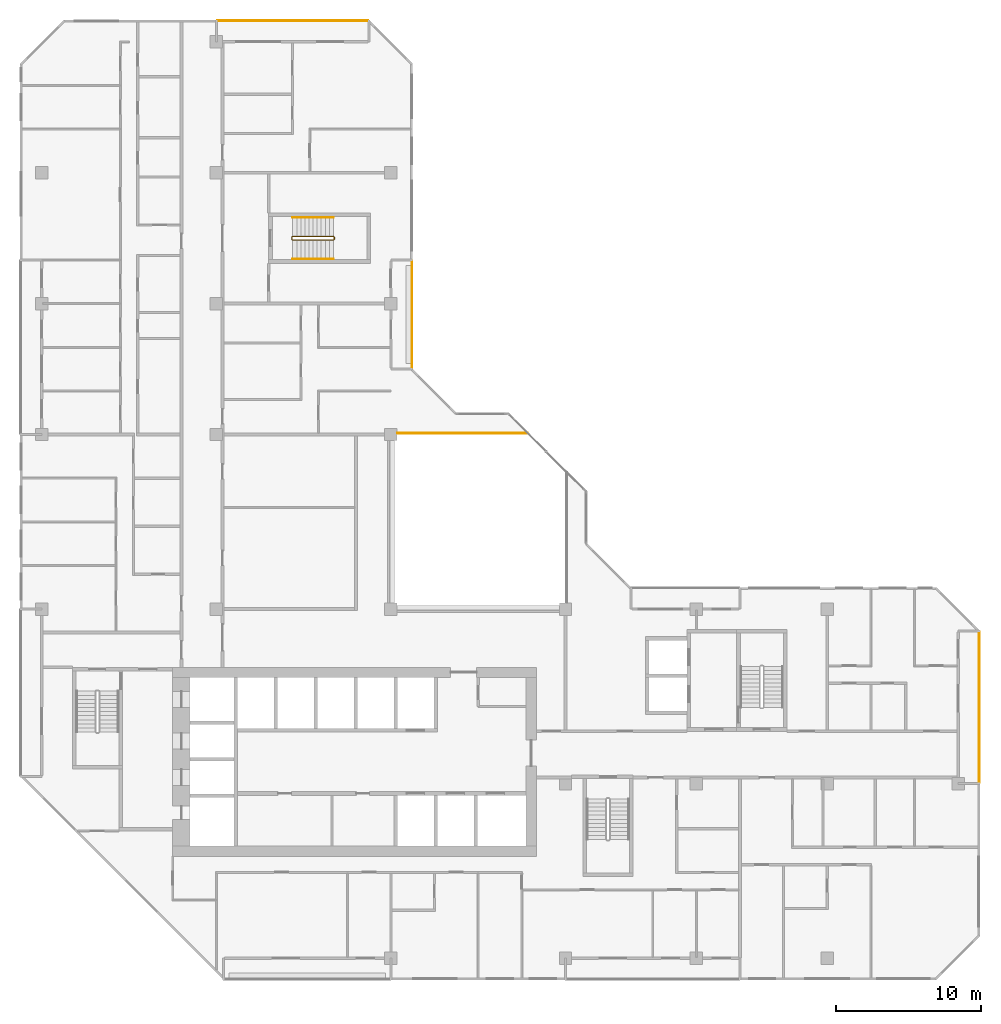
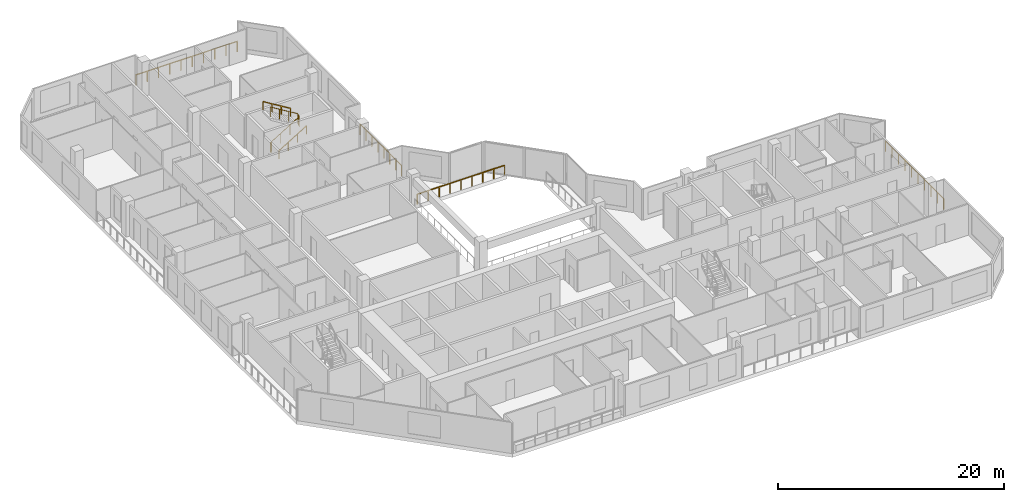
# One storey, part 15 of 15: 7 railings.
"""IFC4 building model written with IfcOpenShell, lengths in metres."""

import ifcopenshell
import ifcopenshell.guid

model = None  # the IFC model being written
_history = None  # IfcOwnerHistory: only IFC2X3 demands one
_inside = {}  # id of a spatial element -> (the spatial element, [elements in it])
_under = {}  # id of a project, library or spatial element -> (it, [spatial elements below it])
_declared = {}  # id of a project -> (the project, [libraries it declares])
_typed = {}  # id of a type object -> (the type object, [elements of that type])
_made_of = {}  # id of a material, layer set ... -> (it, [elements and type objects made of it])


def new_model(schema):
    """Start an empty IFC model of exactly this schema.

    Asked for "IFC4X3", IfcOpenShell would pick the latest addendum, in which some entities
    have other attributes; the version numbers below select the first issue.
    IFC2X3 requires an IfcOwnerHistory on every rooted entity: one is made here for all.
    """
    global model, _history
    if schema == "IFC4X3":
        model = ifcopenshell.file(schema_version=(4, 3, 0, 0))
    else:
        model = ifcopenshell.file(schema=schema)
    _inside.clear()
    _under.clear()
    _declared.clear()
    _typed.clear()
    _made_of.clear()
    _history = None
    if model.schema == "IFC2X3":
        org = make("IfcOrganization", Name="unknown")
        user = make(
            "IfcPersonAndOrganization",
            ThePerson=make("IfcPerson", FamilyName="unknown"),
            TheOrganization=org,
        )
        app = make(
            "IfcApplication",
            ApplicationDeveloper=org,
            Version="unknown",
            ApplicationFullName="unknown",
            ApplicationIdentifier="unknown",
        )
        _history = make(
            "IfcOwnerHistory",
            OwningUser=user,
            OwningApplication=app,
            ChangeAction="ADDED",
            CreationDate=0,
        )
    return model


def make(cls, **values):
    """One entity of the class cls with the attributes given. An attribute that is None is left unset."""
    return model.create_entity(
        cls, **{name: value for name, value in values.items() if value is not None}
    )


def rooted(cls, **values):
    """An entity with a GlobalId (a new one), such as an element, a storey or a relation."""
    return make(cls, GlobalId=ifcopenshell.guid.new(), OwnerHistory=_history, **values)


def si_unit(unit_type, name, prefix=None):
    """IfcSIUnit, for example si_unit("LENGTHUNIT", "METRE", prefix="MILLI")."""
    return make("IfcSIUnit", UnitType=unit_type, Prefix=prefix, Name=name)


def assignment(units):
    """IfcUnitAssignment: the units of a project."""
    return None if units is None else make("IfcUnitAssignment", Units=units)


def point(xyz):
    """IfcCartesianPoint."""
    return None if xyz is None else make("IfcCartesianPoint", Coordinates=xyz)


def direction(xyz):
    """IfcDirection."""
    return None if xyz is None else make("IfcDirection", DirectionRatios=xyz)


def frame(location, z_axis=None, x_axis=None):
    """IfcAxis2Placement3D, a coordinate frame: its origin and axes. An axis left out is left unset."""
    return make(
        "IfcAxis2Placement3D",
        Location=point(location),
        Axis=direction(z_axis),
        RefDirection=direction(x_axis),
    )


def frame_2d(location, x_axis=None):
    """IfcAxis2Placement2D, a coordinate frame in the plane: its origin and x axis."""
    return make(
        "IfcAxis2Placement2D", Location=point(location), RefDirection=direction(x_axis)
    )


def origin():
    """The frame at (0, 0, 0) with its axes left unset."""
    return frame((0.0, 0.0, 0.0))


def origin_2d():
    """The frame at (0, 0) in the plane with its x axis left unset."""
    return frame_2d((0.0, 0.0))


def place(relative_to, where):
    """IfcLocalPlacement: puts the frame where relative to a parent placement (None: the world)."""
    return make(
        "IfcLocalPlacement", PlacementRelTo=relative_to, RelativePlacement=where
    )


def context(
    kind, dimensions, precision=None, world=None, true_north=None, identifier=None
):
    """IfcGeometricRepresentationContext, for example the 3D "Model" context."""
    return make(
        "IfcGeometricRepresentationContext",
        ContextIdentifier=identifier,
        ContextType=kind,
        CoordinateSpaceDimension=dimensions,
        Precision=precision,
        WorldCoordinateSystem=world,
        TrueNorth=true_north,
    )


def subcontext(parent, identifier, kind, view, scale=None):
    """IfcGeometricRepresentationSubContext, for example "Body" below "Model"."""
    return make(
        "IfcGeometricRepresentationSubContext",
        ContextIdentifier=identifier,
        ContextType=kind,
        ParentContext=parent,
        TargetScale=scale,
        TargetView=view,
    )


def project(units=None, contexts=None):
    """IfcProject with its units and contexts."""
    return rooted(
        "IfcProject",
        Name="project",
        RepresentationContexts=contexts,
        UnitsInContext=assignment(units),
    )


def spatial(cls, under=None, at=None, **own):
    """A site, building, storey or space (cls), placed at a placement, below another one or the project."""
    s = rooted(cls, ObjectPlacement=at, **own)
    if under is not None:
        _under.setdefault(under.id(), (under, []))[1].append(s)
    return s


def profile(cls, at=None, kind="AREA", **sizes):
    """A parametric profile (cls). Its sizes go by their IFC names, for example OverallWidth=200.0."""
    return make(cls, ProfileType=kind, Position=at, **sizes)


def rectangle(**sizes):
    """IfcRectangleProfileDef."""
    return profile("IfcRectangleProfileDef", **sizes)


def extrude(swept, where, along, depth):
    """IfcExtrudedAreaSolid: the profile swept, set in the frame where, extruded along a direction by depth."""
    return make(
        "IfcExtrudedAreaSolid",
        SweptArea=swept,
        Position=where,
        ExtrudedDirection=direction(along),
        Depth=depth,
    )


def shape(context_of_items, identifier, shape_type, items):
    """IfcShapeRepresentation: the items that make up one representation, for example the "Body"."""
    return make(
        "IfcShapeRepresentation",
        ContextOfItems=context_of_items,
        RepresentationIdentifier=identifier,
        RepresentationType=shape_type,
        Items=items,
    )


def material(Name=None, Category=None):
    """IfcMaterial."""
    return make("IfcMaterial", Name=Name, Category=Category)


def made_of(thing, what):
    """Note that an element or type object is made of a material, layer set ...; save() writes the relation."""
    if what is not None:
        _made_of.setdefault(what.id(), (what, []))[1].append(thing)
    return thing


def type_object(cls, material=None, **own):
    """A type object (cls), such as IfcWallType, which elements share."""
    return made_of(rooted(cls, **own), material)


def element(
    cls,
    number,
    at=None,
    inside=None,
    cuts=None,
    type_object=None,
    material=None,
    context=None,
    identifier="Body",
    shape_type=None,
    held_by="IfcProductDefinitionShape",
    body=None,
    shapes=None,
    **own,
):
    """One element of the class cls, such as IfcWall. Its Tag is "e" and its number.

    at: its placement. inside: the storey or other place that contains it. cuts: it is an
    opening in that element (IfcRelVoidsElement). A single representation is given by context,
    identifier, shape_type and body (its items); several are given by shapes. held_by: the class
    of the entity that holds the representations. save() writes the other relations.
    """
    e = rooted(cls, Tag="e%d" % number, ObjectPlacement=at, **own)
    if body is not None:
        shapes = [shape(context, identifier, shape_type, body)]
    if shapes is not None:
        e.Representation = make(held_by, Representations=shapes)
    if inside is not None:
        _inside.setdefault(inside.id(), (inside, []))[1].append(e)
    if cuts is not None:
        rooted(
            "IfcRelVoidsElement", RelatingBuildingElement=cuts, RelatedOpeningElement=e
        )
    if type_object is not None:
        _typed.setdefault(type_object.id(), (type_object, []))[1].append(e)
    return made_of(e, material)


def aggregate(whole, parts):
    """IfcRelAggregates: a whole, such as a stair, and the parts it consists of."""
    return rooted("IfcRelAggregates", RelatingObject=whole, RelatedObjects=parts)


def save(model, path):
    """Write the relations noted so far, then the file.

    IfcRelAggregates (storeys below a building ...), IfcRelContainedInSpatialStructure (elements
    in a storey), IfcRelDefinesByType, IfcRelAssociatesMaterial and IfcRelDeclares: one each for
    every whole, place, type object, material and project.
    """
    for whole, parts in _under.values():
        aggregate(whole, parts)
    for where, things in _inside.values():
        rooted(
            "IfcRelContainedInSpatialStructure",
            RelatedElements=things,
            RelatingStructure=where,
        )
    for kind, things in _typed.values():
        rooted("IfcRelDefinesByType", RelatedObjects=things, RelatingType=kind)
    for what, things in _made_of.values():
        rooted("IfcRelAssociatesMaterial", RelatedObjects=things, RelatingMaterial=what)
    for by, libraries in _declared.values():
        rooted("IfcRelDeclares", RelatingContext=by, RelatedDefinitions=libraries)
    model.write(path)


model = new_model("IFC4")

# Units and contexts
model_context = context("Model", 3, precision=1e-05, world=origin(), true_north=direction((0.0, 1.0)))
body_context = subcontext(model_context, "Body", "Model", "MODEL_VIEW")
ifc_project = project(units=[si_unit("LENGTHUNIT", "METRE"), si_unit("AREAUNIT", "SQUARE_METRE"), si_unit("VOLUMEUNIT", "CUBIC_METRE"), si_unit("PLANEANGLEUNIT", "RADIAN"), si_unit("MASSUNIT", "GRAM", prefix="KILO")], contexts=[model_context])

# Site, building, storey
site_placement = place(None, origin())
site = spatial("IfcSite", under=ifc_project, at=site_placement, CompositionType="ELEMENT")
building_placement = place(site_placement, origin())
building = spatial("IfcBuilding", under=site, at=building_placement, Name="Chenar Terraces", CompositionType="ELEMENT")
storey_placement = place(building_placement, frame((0.0, 0.0, 249.14990234375)))
storey = spatial("IfcBuildingStorey", under=building, at=storey_placement, Name="L59", CompositionType="ELEMENT", Elevation=249.14990234375)

# Railings
ifc_material_1 = material(Name="Powder-coated steel", Category="steel")
railing_type_1 = type_object("IfcRailingType", Name="Guard 1100 steel rail with glass infill", PredefinedType="GUARDRAIL", material=ifc_material_1)
railing_1_placement = place(storey_placement, frame((24.47509765625, 36.10009765625, 0.0)))
element("IfcRailing", 1, at=railing_1_placement, inside=storey, type_object=railing_type_1, Name="Guard L59-2", PredefinedType="GUARDRAIL", context=body_context, shape_type="SweptSolid", body=[
    extrude(rectangle(XDim=0.06005859375, YDim=0.06005859375, at=origin_2d()), frame((0.0, 0.0, 1.070068359375), z_axis=(1.0, 0.0, 0.0), x_axis=(0.0, 1.0, 0.0)), (0.0, 0.0, 1.0), 8.9248046875),
    extrude(rectangle(XDim=0.050048828125, YDim=0.050048828125, at=origin_2d()), origin(), (0.0, 0.0, 1.0), 1.0400390625),
    extrude(rectangle(XDim=0.050048828125, YDim=0.050048828125, at=origin_2d()), frame((1.11572265625, 0.0, 0.0)), (0.0, 0.0, 1.0), 1.0400390625),
    extrude(rectangle(XDim=0.050048828125, YDim=0.050048828125, at=origin_2d()), frame((2.231201171875, 0.0, 0.0)), (0.0, 0.0, 1.0), 1.0400390625),
    extrude(rectangle(XDim=0.050048828125, YDim=0.050048828125, at=origin_2d()), frame((3.3466796875, 0.0, 0.0)), (0.0, 0.0, 1.0), 1.0400390625),
    extrude(rectangle(XDim=0.050048828125, YDim=0.050048828125, at=origin_2d()), frame((4.46240234375, 0.0, 0.0)), (0.0, 0.0, 1.0), 1.0400390625),
    extrude(rectangle(XDim=0.050048828125, YDim=0.050048828125, at=origin_2d()), frame((5.578125, 0.0, 0.0)), (0.0, 0.0, 1.0), 1.0400390625),
    extrude(rectangle(XDim=0.050048828125, YDim=0.050048828125, at=origin_2d()), frame((6.693603515625, 0.0, 0.0)), (0.0, 0.0, 1.0), 1.0400390625),
    extrude(rectangle(XDim=0.050048828125, YDim=0.050048828125, at=origin_2d()), frame((7.80908203125, 0.0, 0.0)), (0.0, 0.0, 1.0), 1.0400390625),
    extrude(rectangle(XDim=0.050048828125, YDim=0.050048828125, at=origin_2d()), frame((8.9248046875, 0.0, 0.0)), (0.0, 0.0, 1.0), 1.0400390625),
])
ifc_material_2 = material(Name="Stainless steel and glass", Category="steel")
railing_type_2 = type_object("IfcRailingType", Name="Loggia guard 1150", PredefinedType="GUARDRAIL", material=ifc_material_2)
railing_2_placement = place(storey_placement, frame((25.449951171875, 40.574951171875, 0.0)))
element("IfcRailing", 2, at=railing_2_placement, inside=storey, type_object=railing_type_2, Name="Loggia guard", PredefinedType="GUARDRAIL", context=body_context, shape_type="SweptSolid", body=[
    extrude(rectangle(XDim=0.048095703125, YDim=0.048095703125, at=origin_2d()), frame((0.0, 0.0, 1.1259765625), z_axis=(0.0, 1.0, 0.0), x_axis=(-1.0, 0.0, 0.0)), (0.0, 0.0, 1.0), 7.35009765625),
    extrude(rectangle(XDim=0.0419921875, YDim=0.0419921875, at=origin_2d()), origin(), (0.0, 0.0, 1.0), 1.101806640625),
    extrude(rectangle(XDim=0.0419921875, YDim=0.0419921875, at=origin_2d()), frame((0.0, 1.050048828125, 0.0)), (0.0, 0.0, 1.0), 1.101806640625),
    extrude(rectangle(XDim=0.0419921875, YDim=0.0419921875, at=origin_2d()), frame((0.0, 2.10009765625, 0.0)), (0.0, 0.0, 1.0), 1.101806640625),
    extrude(rectangle(XDim=0.0419921875, YDim=0.0419921875, at=origin_2d()), frame((0.0, 3.150146484375, 0.0)), (0.0, 0.0, 1.0), 1.101806640625),
    extrude(rectangle(XDim=0.0419921875, YDim=0.0419921875, at=origin_2d()), frame((0.0, 4.199951171875, 0.0)), (0.0, 0.0, 1.0), 1.101806640625),
    extrude(rectangle(XDim=0.0419921875, YDim=0.0419921875, at=origin_2d()), frame((0.0, 5.25, 0.0)), (0.0, 0.0, 1.0), 1.101806640625),
    extrude(rectangle(XDim=0.0419921875, YDim=0.0419921875, at=origin_2d()), frame((0.0, 6.300048828125, 0.0)), (0.0, 0.0, 1.0), 1.101806640625),
    extrude(rectangle(XDim=0.0419921875, YDim=0.0419921875, at=origin_2d()), frame((0.0, 7.35009765625, 0.0)), (0.0, 0.0, 1.0), 1.101806640625),
])
railing_3_placement = place(storey_placement, frame((64.449951171875, 12.074951171875, 0.0)))
element("IfcRailing", 3, at=railing_3_placement, inside=storey, type_object=railing_type_2, Name="Loggia guard", PredefinedType="GUARDRAIL", context=body_context, shape_type="SweptSolid", body=[
    extrude(rectangle(XDim=0.048095703125, YDim=0.048095703125, at=origin_2d()), frame((0.0, 0.0, 1.1259765625), z_axis=(0.0, 1.0, 0.0), x_axis=(-1.0, 0.0, 0.0)), (0.0, 0.0, 1.0), 10.35009765625),
    extrude(rectangle(XDim=0.0419921875, YDim=0.0419921875, at=origin_2d()), origin(), (0.0, 0.0, 1.0), 1.101806640625),
    extrude(rectangle(XDim=0.0419921875, YDim=0.0419921875, at=origin_2d()), frame((0.0, 1.14990234375, 0.0)), (0.0, 0.0, 1.0), 1.101806640625),
    extrude(rectangle(XDim=0.0419921875, YDim=0.0419921875, at=origin_2d()), frame((0.0, 2.300048828125, 0.0)), (0.0, 0.0, 1.0), 1.101806640625),
    extrude(rectangle(XDim=0.0419921875, YDim=0.0419921875, at=origin_2d()), frame((0.0, 3.449951171875, 0.0)), (0.0, 0.0, 1.0), 1.101806640625),
    extrude(rectangle(XDim=0.0419921875, YDim=0.0419921875, at=origin_2d()), frame((0.0, 4.60009765625, 0.0)), (0.0, 0.0, 1.0), 1.101806640625),
    extrude(rectangle(XDim=0.0419921875, YDim=0.0419921875, at=origin_2d()), frame((0.0, 5.75, 0.0)), (0.0, 0.0, 1.0), 1.101806640625),
    extrude(rectangle(XDim=0.0419921875, YDim=0.0419921875, at=origin_2d()), frame((0.0, 6.900146484375, 0.0)), (0.0, 0.0, 1.0), 1.101806640625),
    extrude(rectangle(XDim=0.0419921875, YDim=0.0419921875, at=origin_2d()), frame((0.0, 8.050048828125, 0.0)), (0.0, 0.0, 1.0), 1.101806640625),
    extrude(rectangle(XDim=0.0419921875, YDim=0.0419921875, at=origin_2d()), frame((0.0, 9.2001953125, 0.0)), (0.0, 0.0, 1.0), 1.101806640625),
    extrude(rectangle(XDim=0.0419921875, YDim=0.0419921875, at=origin_2d()), frame((0.0, 10.35009765625, 0.0)), (0.0, 0.0, 1.0), 1.101806640625),
])
railing_4_placement = place(storey_placement, frame((22.425048828125, 64.449951171875, 0.0)))
element("IfcRailing", 4, at=railing_4_placement, inside=storey, type_object=railing_type_2, Name="Loggia guard", PredefinedType="GUARDRAIL", context=body_context, shape_type="SweptSolid", body=[
    extrude(rectangle(XDim=0.048095703125, YDim=0.048095703125, at=origin_2d()), frame((0.0, 0.0, 1.1259765625), z_axis=(-1.0, 0.0, 0.0), x_axis=(0.0, -1.0, 0.0)), (0.0, 0.0, 1.0), 10.35009765625),
    extrude(rectangle(XDim=0.0419921875, YDim=0.0419921875, at=origin_2d()), origin(), (0.0, 0.0, 1.0), 1.101806640625),
    extrude(rectangle(XDim=0.0419921875, YDim=0.0419921875, at=origin_2d()), frame((-1.14990234375, 0.0, 0.0)), (0.0, 0.0, 1.0), 1.101806640625),
    extrude(rectangle(XDim=0.0419921875, YDim=0.0419921875, at=origin_2d()), frame((-2.300048828125, 0.0, 0.0)), (0.0, 0.0, 1.0), 1.101806640625),
    extrude(rectangle(XDim=0.0419921875, YDim=0.0419921875, at=origin_2d()), frame((-3.449951171875, 0.0, 0.0)), (0.0, 0.0, 1.0), 1.101806640625),
    extrude(rectangle(XDim=0.0419921875, YDim=0.0419921875, at=origin_2d()), frame((-4.60009765625, 0.0, 0.0)), (0.0, 0.0, 1.0), 1.101806640625),
    extrude(rectangle(XDim=0.0419921875, YDim=0.0419921875, at=origin_2d()), frame((-5.75, 0.0, 0.0)), (0.0, 0.0, 1.0), 1.101806640625),
    extrude(rectangle(XDim=0.0419921875, YDim=0.0419921875, at=origin_2d()), frame((-6.900146484375, 0.0, 0.0)), (0.0, 0.0, 1.0), 1.101806640625),
    extrude(rectangle(XDim=0.0419921875, YDim=0.0419921875, at=origin_2d()), frame((-8.050048828125, 0.0, 0.0)), (0.0, 0.0, 1.0), 1.101806640625),
    extrude(rectangle(XDim=0.0419921875, YDim=0.0419921875, at=origin_2d()), frame((-9.2001953125, 0.0, 0.0)), (0.0, 0.0, 1.0), 1.101806640625),
    extrude(rectangle(XDim=0.0419921875, YDim=0.0419921875, at=origin_2d()), frame((-10.35009765625, 0.0, 0.0)), (0.0, 0.0, 1.0), 1.101806640625),
])
ifc_material_3 = material(Name="Powder-coated steel", Category="steel")
railing_type_3 = type_object("IfcRailingType", Name="Stair guard 1100", PredefinedType="GUARDRAIL", material=ifc_material_3)
railing_5_placement = place(storey_placement, frame((17.25, 49.625, 3.75)))
element("IfcRailing", 5, at=railing_5_placement, inside=storey, type_object=railing_type_3, Name="L59 ST4 stair guard 1", PredefinedType="GUARDRAIL", context=body_context, shape_type="SweptSolid", body=[
    extrude(rectangle(XDim=0.048095703125, YDim=0.048095703125, at=origin_2d()), frame((0.0, 0.0, 1.076171875), z_axis=(0.854202870247, 0.0, -0.519939858505), x_axis=(0.0, 1.0, 0.0)), (0.0, 0.0, 1.0), 3.278076171875),
    extrude(rectangle(XDim=0.048095703125, YDim=0.048095703125, at=origin_2d()), frame((2.800048828125, 0.0, -0.62841796875), z_axis=(0.270899902878, -0.270899902878, -0.923702595667), x_axis=(0.707106781187, 0.707106781187, 0.0)), (0.0, 0.0, 1.0), 0.184814453125),
    extrude(rectangle(XDim=0.048095703125, YDim=0.048095703125, at=origin_2d()), frame((2.85009765625, -0.050048828125, -0.798828125), z_axis=(0.0, -1.0, 0.0), x_axis=(1.0, 0.0, 0.0)), (0.0, 0.0, 1.0), 0.14990234375),
    extrude(rectangle(XDim=0.048095703125, YDim=0.048095703125, at=origin_2d()), frame((2.85009765625, -0.199951171875, -0.798828125), z_axis=(-0.707106781187, -0.707106781187, 0.0), x_axis=(0.707106781187, -0.707106781187, 0.0)), (0.0, 0.0, 1.0), 0.07080078125),
    extrude(rectangle(XDim=0.048095703125, YDim=0.048095703125, at=origin_2d()), frame((2.800048828125, -0.25, -0.798828125), z_axis=(-0.854202870247, 0.0, -0.519939858505), x_axis=(0.0, -1.0, 0.0)), (0.0, 0.0, 1.0), 3.278076171875),
    extrude(rectangle(XDim=0.048095703125, YDim=0.048095703125, at=origin_2d()), frame((0.0, -0.25, -2.50341796875), z_axis=(-0.270899902878, 0.270899902878, -0.923702595667), x_axis=(-0.707106781187, -0.707106781187, 0.0)), (0.0, 0.0, 1.0), 0.184814453125),
    extrude(rectangle(XDim=0.048095703125, YDim=0.048095703125, at=origin_2d()), frame((-0.050048828125, -0.199951171875, -2.673828125), z_axis=(0.0, 1.0, 0.0), x_axis=(-1.0, 0.0, 0.0)), (0.0, 0.0, 1.0), 0.14990234375),
    extrude(rectangle(XDim=0.0419921875, YDim=0.0419921875, at=origin_2d()), origin(), (0.0, 0.0, 1.0), 1.052001953125),
    extrude(rectangle(XDim=0.0419921875, YDim=0.0419921875, at=origin_2d()), frame((0.933349609375, 0.0, -0.568115234375)), (0.0, 0.0, 1.0), 1.052001953125),
    extrude(rectangle(XDim=0.0419921875, YDim=0.0419921875, at=origin_2d()), frame((1.86669921875, 0.0, -1.13623046875)), (0.0, 0.0, 1.0), 1.052001953125),
    extrude(rectangle(XDim=0.0419921875, YDim=0.0419921875, at=origin_2d()), frame((2.800048828125, 0.0, -1.704345703125)), (0.0, 0.0, 1.0), 1.052001953125),
    extrude(rectangle(XDim=0.0419921875, YDim=0.0419921875, at=origin_2d()), frame((2.85009765625, -0.050048828125, -1.875)), (0.0, 0.0, 1.0), 1.052001953125),
    extrude(rectangle(XDim=0.0419921875, YDim=0.0419921875, at=origin_2d()), frame((2.85009765625, -0.199951171875, -1.875)), (0.0, 0.0, 1.0), 1.052001953125),
    extrude(rectangle(XDim=0.0419921875, YDim=0.0419921875, at=origin_2d()), frame((2.800048828125, -0.25, -1.875)), (0.0, 0.0, 1.0), 1.052001953125),
    extrude(rectangle(XDim=0.0419921875, YDim=0.0419921875, at=origin_2d()), frame((1.86669921875, -0.25, -2.443115234375)), (0.0, 0.0, 1.0), 1.052001953125),
    extrude(rectangle(XDim=0.0419921875, YDim=0.0419921875, at=origin_2d()), frame((0.933349609375, -0.25, -3.01123046875)), (0.0, 0.0, 1.0), 1.052001953125),
    extrude(rectangle(XDim=0.0419921875, YDim=0.0419921875, at=origin_2d()), frame((0.0, -0.25, -3.579345703125)), (0.0, 0.0, 1.0), 1.052001953125),
    extrude(rectangle(XDim=0.0419921875, YDim=0.0419921875, at=origin_2d()), frame((-0.050048828125, -0.199951171875, -3.75)), (0.0, 0.0, 1.0), 1.052001953125),
    extrude(rectangle(XDim=0.0419921875, YDim=0.0419921875, at=origin_2d()), frame((-0.050048828125, -0.050048828125, -3.75)), (0.0, 0.0, 1.0), 1.052001953125),
])
ifc_material_4 = material(Name="Powder-coated steel", Category="steel")
railing_type_4 = type_object("IfcRailingType", Name="Stair handrail 900", PredefinedType="HANDRAIL", material=ifc_material_4)
railing_6_placement = place(storey_placement, frame((17.25, 48.074951171875, 0.170654296875)))
element("IfcRailing", 6, at=railing_6_placement, inside=storey, type_object=railing_type_4, Name="L59 ST4 stair handrail 1", PredefinedType="HANDRAIL", context=body_context, shape_type="SweptSolid", body=[
    extrude(rectangle(XDim=0.048095703125, YDim=0.048095703125, at=origin_2d()), frame((0.0, 0.0, 0.8759765625), z_axis=(0.854202870247, 0.0, 0.519939858505), x_axis=(0.0, 1.0, 0.0)), (0.0, 0.0, 1.0), 3.278076171875),
    extrude(rectangle(XDim=0.0419921875, YDim=0.0419921875, at=origin_2d()), origin(), (0.0, 0.0, 1.0), 0.851806640625),
    extrude(rectangle(XDim=0.0419921875, YDim=0.0419921875, at=origin_2d()), frame((0.933349609375, 0.0, 0.568115234375)), (0.0, 0.0, 1.0), 0.851806640625),
    extrude(rectangle(XDim=0.0419921875, YDim=0.0419921875, at=origin_2d()), frame((1.86669921875, 0.0, 1.13623046875)), (0.0, 0.0, 1.0), 0.851806640625),
    extrude(rectangle(XDim=0.0419921875, YDim=0.0419921875, at=origin_2d()), frame((2.800048828125, 0.0, 1.704345703125)), (0.0, 0.0, 1.0), 0.851806640625),
])
railing_7_placement = place(storey_placement, frame((20.050048828125, 50.925048828125, 2.045654296875)))
element("IfcRailing", 7, at=railing_7_placement, inside=storey, type_object=railing_type_4, Name="L59 ST4 stair handrail 2", PredefinedType="HANDRAIL", context=body_context, shape_type="SweptSolid", body=[
    extrude(rectangle(XDim=0.048095703125, YDim=0.048095703125, at=origin_2d()), frame((0.0, 0.0, 0.8759765625), z_axis=(-0.854202870247, 0.0, 0.519939858505), x_axis=(0.0, -1.0, 0.0)), (0.0, 0.0, 1.0), 3.278076171875),
    extrude(rectangle(XDim=0.0419921875, YDim=0.0419921875, at=origin_2d()), origin(), (0.0, 0.0, 1.0), 0.851806640625),
    extrude(rectangle(XDim=0.0419921875, YDim=0.0419921875, at=origin_2d()), frame((-0.933349609375, 0.0, 0.568115234375)), (0.0, 0.0, 1.0), 0.851806640625),
    extrude(rectangle(XDim=0.0419921875, YDim=0.0419921875, at=origin_2d()), frame((-1.86669921875, 0.0, 1.13623046875)), (0.0, 0.0, 1.0), 0.851806640625),
    extrude(rectangle(XDim=0.0419921875, YDim=0.0419921875, at=origin_2d()), frame((-2.800048828125, 0.0, 1.704345703125)), (0.0, 0.0, 1.0), 0.851806640625),
])

save(model, "model.ifc")
